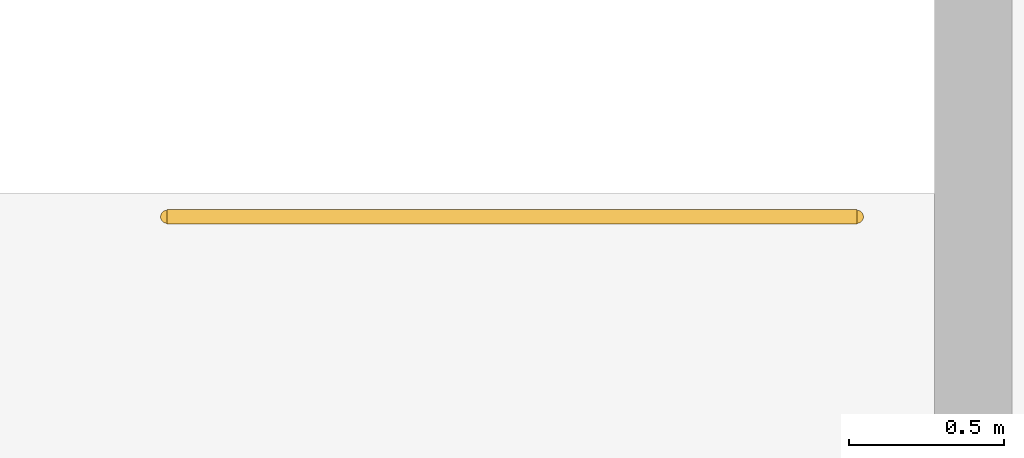
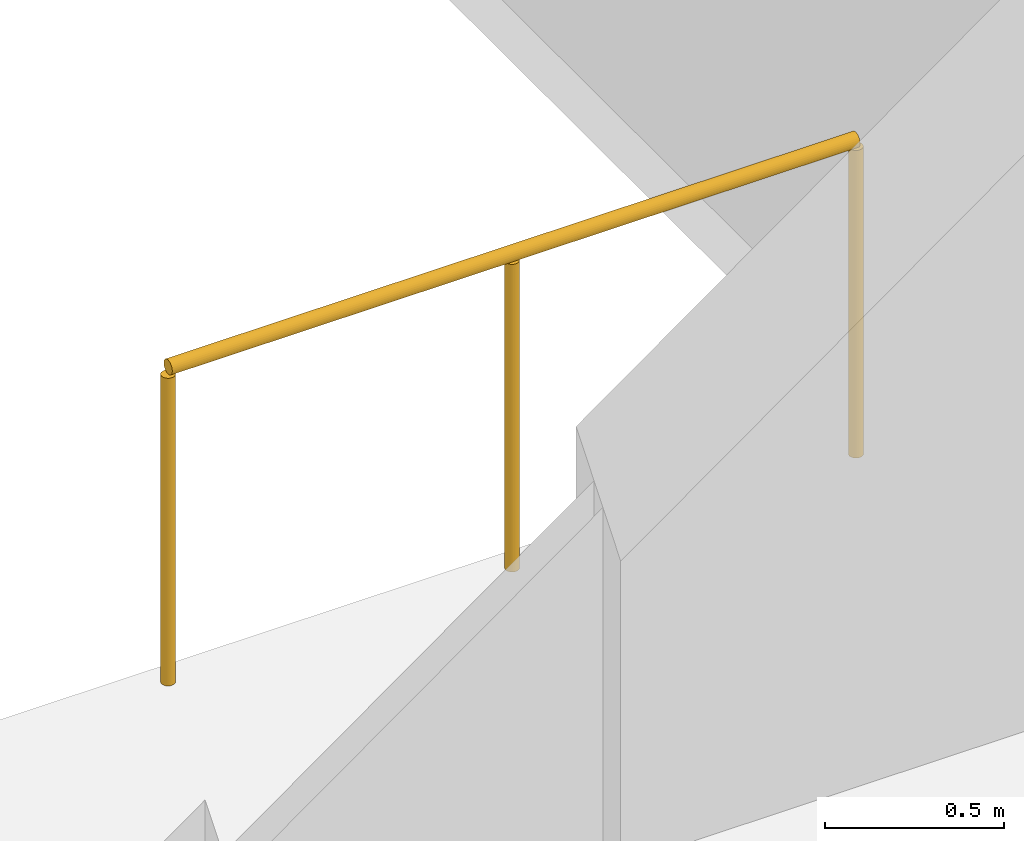
# One storey, part 123 of 142: 1 railing.
"""IFC4 building model written with IfcOpenShell, lengths in metres."""

from ifc_helpers import new_model, si_unit, direction, frame, origin, origin_2d, place, context, subcontext, project, spatial, circle, extrude, material, type_object, element, save


model = new_model("IFC4")

# Units and contexts
model_context = context("Model", 3, precision=1e-05, world=origin(), true_north=direction((0.0, 1.0)))
body_context = subcontext(model_context, "Body", "Model", "MODEL_VIEW")
ifc_project = project(units=[si_unit("LENGTHUNIT", "METRE"), si_unit("AREAUNIT", "SQUARE_METRE"), si_unit("VOLUMEUNIT", "CUBIC_METRE"), si_unit("PLANEANGLEUNIT", "RADIAN"), si_unit("MASSUNIT", "GRAM", prefix="KILO")], contexts=[model_context])

# Site, building, storey
site_placement = place(None, origin())
site = spatial("IfcSite", under=ifc_project, at=site_placement, CompositionType="ELEMENT")
building_placement = place(site_placement, origin())
building = spatial("IfcBuilding", under=site, at=building_placement, Name="Kupolbacken Congress Centre", CompositionType="ELEMENT")
storey_placement = place(building_placement, frame((0.0, 0.0, 14.39990234375)))
storey = spatial("IfcBuildingStorey", under=building, at=storey_placement, Name="L04", CompositionType="ELEMENT", Elevation=14.39990234375)

# Railing
ifc_material = material(Name="Steel S235", Category="steel")
railing_type = type_object("IfcRailingType", Name="RL1 guard 1100 steel balustrade", PredefinedType="GUARDRAIL", material=ifc_material)
railing_placement = place(storey_placement, frame((83.824951171875, 66.784912109375, 0.0)))
element("IfcRailing", 1, at=railing_placement, inside=storey, type_object=railing_type, Name="C/guard/LS3/L04", PredefinedType="GUARDRAIL", context=body_context, shape_type="SweptSolid", body=[
    extrude(circle(Radius=0.02392578125, at=origin_2d()), frame((0.0, 0.0, 1.076171875), z_axis=(-1.0, 0.0, 0.0), x_axis=(0.0, -1.0, 0.0)), (0.0, 0.0, 1.0), 2.224853515625),
    extrude(circle(Radius=0.02099609375, at=origin_2d()), origin(), (0.0, 0.0, 1.0), 1.052001953125),
    extrude(circle(Radius=0.02099609375, at=origin_2d()), frame((-1.1123046875, 0.0, 0.0)), (0.0, 0.0, 1.0), 1.052001953125),
    extrude(circle(Radius=0.02099609375, at=origin_2d()), frame((-2.224853515625, 0.0, 0.0)), (0.0, 0.0, 1.0), 1.052001953125),
])

save(model, "model.ifc")
